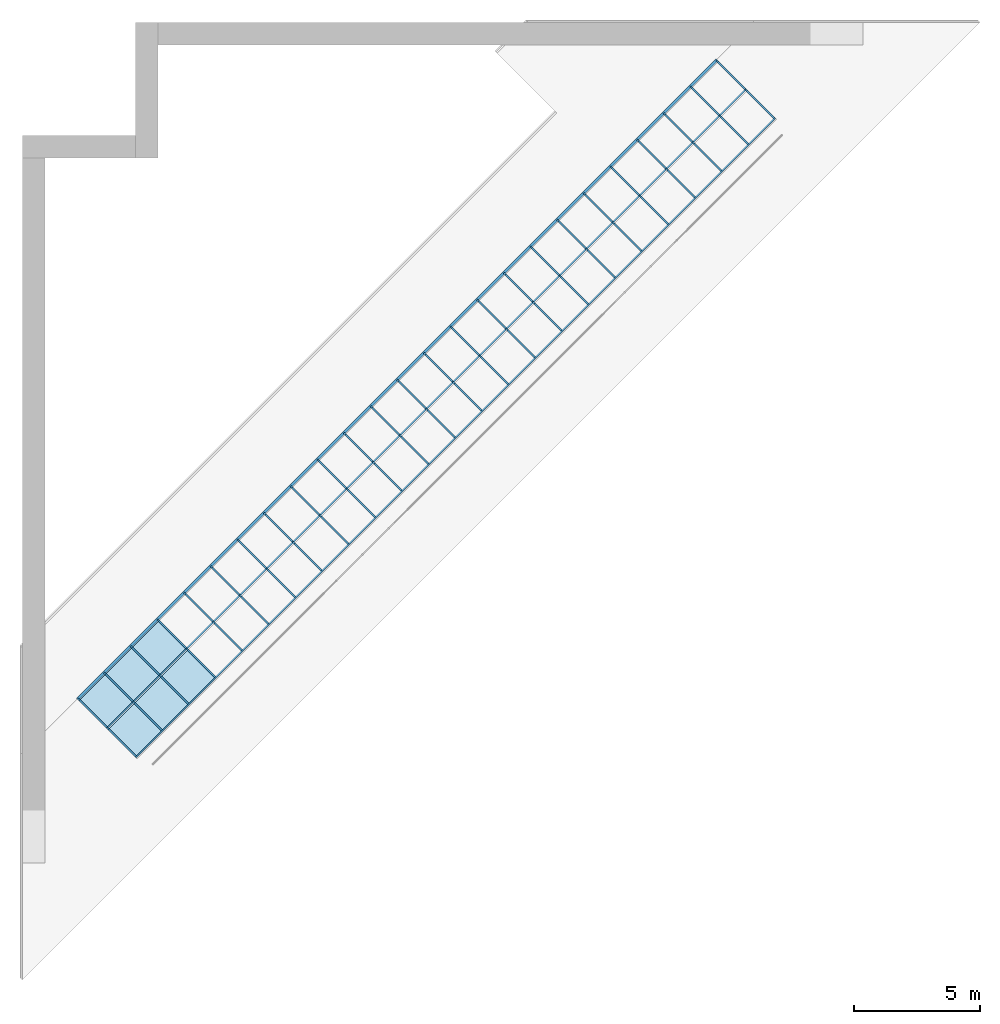
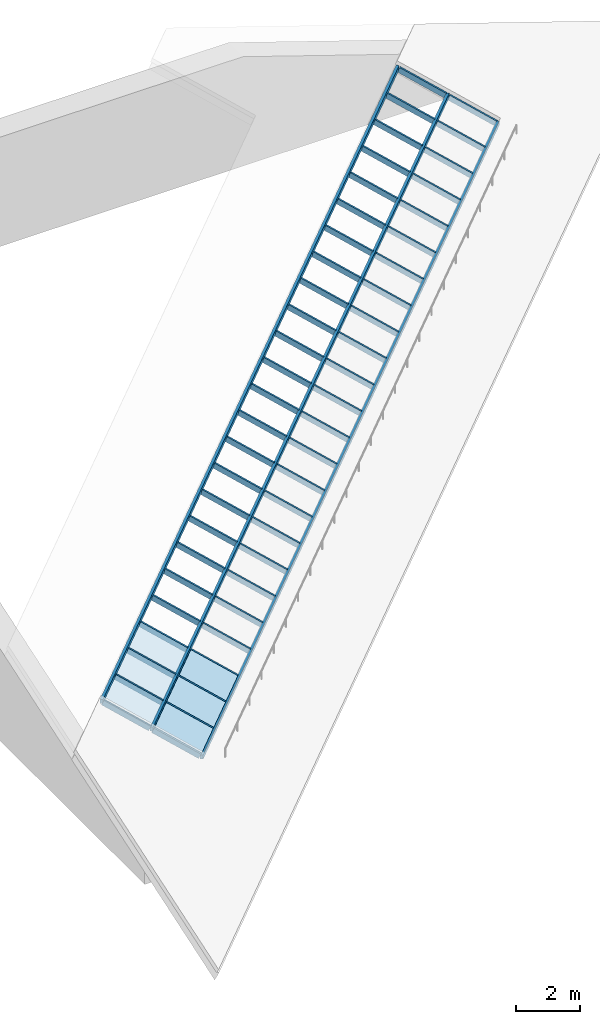
# One storey, part 1 of 3: 53 members, 6 plates, 1 element without a shape of its own.
"""IFC4 building model written with IfcOpenShell, lengths in metres."""

from ifc_helpers import new_model, si_unit, direction, frame, origin, origin_2d, place, context, subcontext, project, spatial, polyline, rectangle, outline, extrude, material, layer, layer_set, material_profile, profile_set, type_object, element, aggregate, save


model = new_model("IFC4")

# Units and contexts
model_context = context("Model", 3, precision=1e-05, world=origin(), true_north=direction((0.0, 1.0)))
body_context = subcontext(model_context, "Body", "Model", "MODEL_VIEW")
ifc_project = project(units=[si_unit("LENGTHUNIT", "METRE"), si_unit("AREAUNIT", "SQUARE_METRE"), si_unit("VOLUMEUNIT", "CUBIC_METRE"), si_unit("PLANEANGLEUNIT", "RADIAN"), si_unit("MASSUNIT", "GRAM", prefix="KILO")], contexts=[model_context])

# Site, building, storey
site_placement = place(None, origin())
site = spatial("IfcSite", under=ifc_project, at=site_placement, CompositionType="ELEMENT")
building_placement = place(site_placement, origin())
building = spatial("IfcBuilding", under=site, at=building_placement, Name="Hunhe Ridgeline Campus", CompositionType="ELEMENT")
storey_placement = place(building_placement, frame((0.0, 0.0, 324.0)))
storey = spatial("IfcBuildingStorey", under=building, at=storey_placement, Name="L83 Crown", CompositionType="ELEMENT", Elevation=324.0)

# Curtain wall, members, plates
ifc_material_1 = material(Name="Aluminium 6063", Category="aluminium")
curtain_wall_type = type_object("IfcCurtainWallType", Name="Curtain wall CW-6", PredefinedType="NOTDEFINED", material=ifc_material_1)
curtain_wall_placement = place(storey_placement, origin())
curtain_wall = element("IfcCurtainWall", 1, at=curtain_wall_placement, inside=storey, type_object=curtain_wall_type, Name="Rooflight 6", PredefinedType="NOTDEFINED")
ifc_material_profile_1 = material_profile(ifc_material_1, rectangle(XDim=0.070068359375, YDim=0.199951171875, at=origin_2d()))
ifc_profile_set_1 = profile_set([ifc_material_profile_1], Name="Aluminium 6063")
member_type_1 = type_object("IfcMemberType", Name="CW-6 aluminium mullion", PredefinedType="MULLION", material=ifc_profile_set_1)
member_1_placement = place(storey_placement, frame((29.892578125, 95.2158203125, 0.771484375), z_axis=(-0.639602149067, 0.639602149067, 0.426401432711), x_axis=(-0.707106781187, -0.707106781187, 0.0)))
member_1 = element("IfcMember", 2, at=member_1_placement, type_object=member_type_1, Name="E-L83 Crown-RL-06/M0-00", PredefinedType="MULLION", context=body_context, shape_type="SweptSolid", body=[
    extrude(rectangle(XDim=0.070068359375, YDim=0.199951171875, at=origin_2d()), origin(), (0.0, 0.0, 1.0), 1.693603515625),
])
member_2_placement = place(storey_placement, frame((28.856689453125, 94.179931640625, 0.771484375), z_axis=(-0.639602149067, 0.639602149067, 0.426401432711), x_axis=(-0.707106781187, -0.707106781187, 0.0)))
member_2 = element("IfcMember", 3, at=member_2_placement, type_object=member_type_1, Name="E-L83 Crown-RL-06/M0-01", PredefinedType="MULLION", context=body_context, shape_type="SweptSolid", body=[
    extrude(rectangle(XDim=0.070068359375, YDim=0.199951171875, at=origin_2d()), origin(), (0.0, 0.0, 1.0), 1.693603515625),
])
member_3_placement = place(storey_placement, frame((27.796142578125, 93.119140625, 0.771484375), z_axis=(-0.639602149067, 0.639602149067, 0.426401432711), x_axis=(-0.707106781187, -0.707106781187, 0.0)))
member_3 = element("IfcMember", 4, at=member_3_placement, type_object=member_type_1, Name="E-L83 Crown-RL-06/M0-02", PredefinedType="MULLION", context=body_context, shape_type="SweptSolid", body=[
    extrude(rectangle(XDim=0.070068359375, YDim=0.199951171875, at=origin_2d()), origin(), (0.0, 0.0, 1.0), 1.693603515625),
])
member_4_placement = place(storey_placement, frame((26.7353515625, 92.05859375, 0.771484375), z_axis=(-0.639602149067, 0.639602149067, 0.426401432711), x_axis=(-0.707106781187, -0.707106781187, 0.0)))
member_4 = element("IfcMember", 5, at=member_4_placement, type_object=member_type_1, Name="E-L83 Crown-RL-06/M0-03", PredefinedType="MULLION", context=body_context, shape_type="SweptSolid", body=[
    extrude(rectangle(XDim=0.070068359375, YDim=0.199951171875, at=origin_2d()), origin(), (0.0, 0.0, 1.0), 1.693603515625),
])
member_5_placement = place(storey_placement, frame((25.6748046875, 90.997802734375, 0.771484375), z_axis=(-0.639602149067, 0.639602149067, 0.426401432711), x_axis=(-0.707106781187, -0.707106781187, 0.0)))
member_5 = element("IfcMember", 6, at=member_5_placement, type_object=member_type_1, Name="E-L83 Crown-RL-06/M0-04", PredefinedType="MULLION", context=body_context, shape_type="SweptSolid", body=[
    extrude(rectangle(XDim=0.070068359375, YDim=0.199951171875, at=origin_2d()), origin(), (0.0, 0.0, 1.0), 1.693603515625),
])
member_6_placement = place(storey_placement, frame((24.614013671875, 89.937255859375, 0.771484375), z_axis=(-0.639602149067, 0.639602149067, 0.426401432711), x_axis=(-0.707106781187, -0.707106781187, 0.0)))
member_6 = element("IfcMember", 7, at=member_6_placement, type_object=member_type_1, Name="E-L83 Crown-RL-06/M0-05", PredefinedType="MULLION", context=body_context, shape_type="SweptSolid", body=[
    extrude(rectangle(XDim=0.070068359375, YDim=0.199951171875, at=origin_2d()), origin(), (0.0, 0.0, 1.0), 1.693603515625),
])
member_7_placement = place(storey_placement, frame((23.553466796875, 88.87646484375, 0.771484375), z_axis=(-0.639602149067, 0.639602149067, 0.426401432711), x_axis=(-0.707106781187, -0.707106781187, 0.0)))
member_7 = element("IfcMember", 8, at=member_7_placement, type_object=member_type_1, Name="E-L83 Crown-RL-06/M0-06", PredefinedType="MULLION", context=body_context, shape_type="SweptSolid", body=[
    extrude(rectangle(XDim=0.070068359375, YDim=0.199951171875, at=origin_2d()), origin(), (0.0, 0.0, 1.0), 1.693603515625),
])
member_8_placement = place(storey_placement, frame((22.492919921875, 87.81591796875, 0.771484375), z_axis=(-0.639687317978, 0.63954317933, 0.426362119554), x_axis=(-0.707027102695, -0.707186450701, 0.0)))
member_8 = element("IfcMember", 9, at=member_8_placement, type_object=member_type_1, Name="E-L83 Crown-RL-06/M0-07", PredefinedType="MULLION", context=body_context, shape_type="SweptSolid", body=[
    extrude(rectangle(XDim=0.070068359375, YDim=0.199951171875, at=origin_2d()), origin(), (0.0, 0.0, 1.0), 1.69384765625),
])
member_9_placement = place(storey_placement, frame((21.43212890625, 86.755126953125, 0.771484375), z_axis=(-0.639602149067, 0.639602149067, 0.426401432711), x_axis=(-0.707106781187, -0.707106781187, 0.0)))
member_9 = element("IfcMember", 10, at=member_9_placement, type_object=member_type_1, Name="E-L83 Crown-RL-06/M0-08", PredefinedType="MULLION", context=body_context, shape_type="SweptSolid", body=[
    extrude(rectangle(XDim=0.070068359375, YDim=0.199951171875, at=origin_2d()), origin(), (0.0, 0.0, 1.0), 1.693603515625),
])
member_10_placement = place(storey_placement, frame((20.37158203125, 85.694580078125, 0.771484375), z_axis=(-0.639602149067, 0.639602149067, 0.426401432711), x_axis=(-0.707106781187, -0.707106781187, 0.0)))
member_10 = element("IfcMember", 11, at=member_10_placement, type_object=member_type_1, Name="E-L83 Crown-RL-06/M0-09", PredefinedType="MULLION", context=body_context, shape_type="SweptSolid", body=[
    extrude(rectangle(XDim=0.070068359375, YDim=0.199951171875, at=origin_2d()), origin(), (0.0, 0.0, 1.0), 1.693603515625),
])
member_11_placement = place(storey_placement, frame((19.310791015625, 84.6337890625, 0.771484375), z_axis=(-0.639602149067, 0.639602149067, 0.426401432711), x_axis=(-0.707106781187, -0.707106781187, 0.0)))
member_11 = element("IfcMember", 12, at=member_11_placement, type_object=member_type_1, Name="E-L83 Crown-RL-06/M0-10", PredefinedType="MULLION", context=body_context, shape_type="SweptSolid", body=[
    extrude(rectangle(XDim=0.070068359375, YDim=0.199951171875, at=origin_2d()), origin(), (0.0, 0.0, 1.0), 1.693603515625),
])
member_12_placement = place(storey_placement, frame((18.250244140625, 83.5732421875, 0.771484375), z_axis=(-0.639602149067, 0.639602149067, 0.426401432711), x_axis=(-0.707106781187, -0.707106781187, 0.0)))
member_12 = element("IfcMember", 13, at=member_12_placement, type_object=member_type_1, Name="E-L83 Crown-RL-06/M0-11", PredefinedType="MULLION", context=body_context, shape_type="SweptSolid", body=[
    extrude(rectangle(XDim=0.070068359375, YDim=0.199951171875, at=origin_2d()), origin(), (0.0, 0.0, 1.0), 1.693603515625),
])
member_13_placement = place(storey_placement, frame((17.189453125, 82.512451171875, 0.771484375), z_axis=(-0.63954317933, 0.639687317978, 0.426362119554), x_axis=(-0.707186450701, -0.707027102695, 0.0)))
member_13 = element("IfcMember", 14, at=member_13_placement, type_object=member_type_1, Name="E-L83 Crown-RL-06/M0-12", PredefinedType="MULLION", context=body_context, shape_type="SweptSolid", body=[
    extrude(rectangle(XDim=0.070068359375, YDim=0.199951171875, at=origin_2d()), origin(), (0.0, 0.0, 1.0), 1.69384765625),
])
member_14_placement = place(storey_placement, frame((16.12890625, 81.451904296875, 0.771484375), z_axis=(-0.639602149067, 0.639602149067, 0.426401432711), x_axis=(-0.707106781187, -0.707106781187, 0.0)))
member_14 = element("IfcMember", 15, at=member_14_placement, type_object=member_type_1, Name="E-L83 Crown-RL-06/M0-13", PredefinedType="MULLION", context=body_context, shape_type="SweptSolid", body=[
    extrude(rectangle(XDim=0.070068359375, YDim=0.199951171875, at=origin_2d()), origin(), (0.0, 0.0, 1.0), 1.693603515625),
])
member_15_placement = place(storey_placement, frame((15.068115234375, 80.39111328125, 0.771484375), z_axis=(-0.63954317933, 0.639687317978, 0.426362119554), x_axis=(-0.707186450701, -0.707027102695, 0.0)))
member_15 = element("IfcMember", 16, at=member_15_placement, type_object=member_type_1, Name="E-L83 Crown-RL-06/M0-14", PredefinedType="MULLION", context=body_context, shape_type="SweptSolid", body=[
    extrude(rectangle(XDim=0.070068359375, YDim=0.199951171875, at=origin_2d()), origin(), (0.0, 0.0, 1.0), 1.69384765625),
])
member_16_placement = place(storey_placement, frame((14.007568359375, 79.33056640625, 0.771484375), z_axis=(-0.639602149067, 0.639602149067, 0.426401432711), x_axis=(-0.707106781187, -0.707106781187, 0.0)))
member_16 = element("IfcMember", 17, at=member_16_placement, type_object=member_type_1, Name="E-L83 Crown-RL-06/M0-15", PredefinedType="MULLION", context=body_context, shape_type="SweptSolid", body=[
    extrude(rectangle(XDim=0.070068359375, YDim=0.199951171875, at=origin_2d()), origin(), (0.0, 0.0, 1.0), 1.693603515625),
])
member_17_placement = place(storey_placement, frame((12.94677734375, 78.27001953125, 0.771484375), z_axis=(-0.639602149067, 0.639602149067, 0.426401432711), x_axis=(-0.707106781187, -0.707106781187, 0.0)))
member_17 = element("IfcMember", 18, at=member_17_placement, type_object=member_type_1, Name="E-L83 Crown-RL-06/M0-16", PredefinedType="MULLION", context=body_context, shape_type="SweptSolid", body=[
    extrude(rectangle(XDim=0.070068359375, YDim=0.199951171875, at=origin_2d()), origin(), (0.0, 0.0, 1.0), 1.693603515625),
])
member_18_placement = place(storey_placement, frame((11.88623046875, 77.209228515625, 0.771484375), z_axis=(-0.639602149067, 0.639602149067, 0.426401432711), x_axis=(-0.707106781187, -0.707106781187, 0.0)))
member_18 = element("IfcMember", 19, at=member_18_placement, type_object=member_type_1, Name="E-L83 Crown-RL-06/M0-17", PredefinedType="MULLION", context=body_context, shape_type="SweptSolid", body=[
    extrude(rectangle(XDim=0.070068359375, YDim=0.199951171875, at=origin_2d()), origin(), (0.0, 0.0, 1.0), 1.693603515625),
])
member_19_placement = place(storey_placement, frame((10.825439453125, 76.148681640625, 0.771484375), z_axis=(-0.639602149067, 0.639602149067, 0.426401432711), x_axis=(-0.707106781187, -0.707106781187, 0.0)))
member_19 = element("IfcMember", 20, at=member_19_placement, type_object=member_type_1, Name="E-L83 Crown-RL-06/M0-18", PredefinedType="MULLION", context=body_context, shape_type="SweptSolid", body=[
    extrude(rectangle(XDim=0.070068359375, YDim=0.199951171875, at=origin_2d()), origin(), (0.0, 0.0, 1.0), 1.693603515625),
])
member_20_placement = place(storey_placement, frame((9.764892578125, 75.087890625, 0.771484375), z_axis=(-0.639602149067, 0.639602149067, 0.426401432711), x_axis=(-0.707106781187, -0.707106781187, 0.0)))
member_20 = element("IfcMember", 21, at=member_20_placement, type_object=member_type_1, Name="E-L83 Crown-RL-06/M0-19", PredefinedType="MULLION", context=body_context, shape_type="SweptSolid", body=[
    extrude(rectangle(XDim=0.070068359375, YDim=0.199951171875, at=origin_2d()), origin(), (0.0, 0.0, 1.0), 1.693603515625),
])
member_21_placement = place(storey_placement, frame((8.7041015625, 74.02734375, 0.771484375), z_axis=(-0.639602149067, 0.639602149067, 0.426401432711), x_axis=(-0.707106781187, -0.707106781187, 0.0)))
member_21 = element("IfcMember", 22, at=member_21_placement, type_object=member_type_1, Name="E-L83 Crown-RL-06/M0-20", PredefinedType="MULLION", context=body_context, shape_type="SweptSolid", body=[
    extrude(rectangle(XDim=0.070068359375, YDim=0.199951171875, at=origin_2d()), origin(), (0.0, 0.0, 1.0), 1.693603515625),
])
member_22_placement = place(storey_placement, frame((7.6435546875, 72.966552734375, 0.771484375), z_axis=(-0.639602149067, 0.639602149067, 0.426401432711), x_axis=(-0.707106781187, -0.707106781187, 0.0)))
member_22 = element("IfcMember", 23, at=member_22_placement, type_object=member_type_1, Name="E-L83 Crown-RL-06/M0-21", PredefinedType="MULLION", context=body_context, shape_type="SweptSolid", body=[
    extrude(rectangle(XDim=0.070068359375, YDim=0.199951171875, at=origin_2d()), origin(), (0.0, 0.0, 1.0), 1.693603515625),
])
member_23_placement = place(storey_placement, frame((6.5830078125, 71.906005859375, 0.771484375), z_axis=(-0.639687317978, 0.63954317933, 0.426362119554), x_axis=(-0.707027102695, -0.707186450701, 0.0)))
member_23 = element("IfcMember", 24, at=member_23_placement, type_object=member_type_1, Name="E-L83 Crown-RL-06/M0-22", PredefinedType="MULLION", context=body_context, shape_type="SweptSolid", body=[
    extrude(rectangle(XDim=0.070068359375, YDim=0.199951171875, at=origin_2d()), origin(), (0.0, 0.0, 1.0), 1.69384765625),
])
member_24_placement = place(storey_placement, frame((5.522216796875, 70.84521484375, 0.771484375), z_axis=(-0.639602149067, 0.639602149067, 0.426401432711), x_axis=(-0.707106781187, -0.707106781187, 0.0)))
member_24 = element("IfcMember", 25, at=member_24_placement, type_object=member_type_1, Name="E-L83 Crown-RL-06/M0-23", PredefinedType="MULLION", context=body_context, shape_type="SweptSolid", body=[
    extrude(rectangle(XDim=0.070068359375, YDim=0.199951171875, at=origin_2d()), origin(), (0.0, 0.0, 1.0), 1.693603515625),
])
member_25_placement = place(storey_placement, frame((4.486328125, 69.809326171875, 0.771484375), z_axis=(-0.639602149067, 0.639602149067, 0.426401432711), x_axis=(-0.707106781187, -0.707106781187, 0.0)))
member_25 = element("IfcMember", 26, at=member_25_placement, type_object=member_type_1, Name="E-L83 Crown-RL-06/M0-24", PredefinedType="MULLION", context=body_context, shape_type="SweptSolid", body=[
    extrude(rectangle(XDim=0.070068359375, YDim=0.199951171875, at=origin_2d()), origin(), (0.0, 0.0, 1.0), 1.693603515625),
])
member_26_placement = place(storey_placement, frame((28.73876953125, 96.36962890625, 1.540771484375), z_axis=(-0.639602149067, 0.639602149067, 0.426401432711), x_axis=(-0.707106781187, -0.707106781187, 0.0)))
member_26 = element("IfcMember", 27, at=member_26_placement, type_object=member_type_1, Name="E-L83 Crown-RL-06/M1-00", PredefinedType="MULLION", context=body_context, shape_type="SweptSolid", body=[
    extrude(rectangle(XDim=0.070068359375, YDim=0.199951171875, at=origin_2d()), origin(), (0.0, 0.0, 1.0), 1.693603515625),
])
member_27_placement = place(storey_placement, frame((27.702880859375, 95.333740234375, 1.540771484375), z_axis=(-0.639602149067, 0.639602149067, 0.426401432711), x_axis=(-0.707106781187, -0.707106781187, 0.0)))
member_27 = element("IfcMember", 28, at=member_27_placement, type_object=member_type_1, Name="E-L83 Crown-RL-06/M1-01", PredefinedType="MULLION", context=body_context, shape_type="SweptSolid", body=[
    extrude(rectangle(XDim=0.070068359375, YDim=0.199951171875, at=origin_2d()), origin(), (0.0, 0.0, 1.0), 1.693603515625),
])
member_28_placement = place(storey_placement, frame((26.64208984375, 94.273193359375, 1.540771484375), z_axis=(-0.639602149067, 0.639602149067, 0.426401432711), x_axis=(-0.707106781187, -0.707106781187, 0.0)))
member_28 = element("IfcMember", 29, at=member_28_placement, type_object=member_type_1, Name="E-L83 Crown-RL-06/M1-02", PredefinedType="MULLION", context=body_context, shape_type="SweptSolid", body=[
    extrude(rectangle(XDim=0.070068359375, YDim=0.199951171875, at=origin_2d()), origin(), (0.0, 0.0, 1.0), 1.693603515625),
])
member_29_placement = place(storey_placement, frame((25.58154296875, 93.21240234375, 1.540771484375), z_axis=(-0.639602149067, 0.639602149067, 0.426401432711), x_axis=(-0.707106781187, -0.707106781187, 0.0)))
member_29 = element("IfcMember", 30, at=member_29_placement, type_object=member_type_1, Name="E-L83 Crown-RL-06/M1-03", PredefinedType="MULLION", context=body_context, shape_type="SweptSolid", body=[
    extrude(rectangle(XDim=0.070068359375, YDim=0.199951171875, at=origin_2d()), origin(), (0.0, 0.0, 1.0), 1.693603515625),
])
member_30_placement = place(storey_placement, frame((24.520751953125, 92.15185546875, 1.540771484375), z_axis=(-0.639602149067, 0.639602149067, 0.426401432711), x_axis=(-0.707106781187, -0.707106781187, 0.0)))
member_30 = element("IfcMember", 31, at=member_30_placement, type_object=member_type_1, Name="E-L83 Crown-RL-06/M1-04", PredefinedType="MULLION", context=body_context, shape_type="SweptSolid", body=[
    extrude(rectangle(XDim=0.070068359375, YDim=0.199951171875, at=origin_2d()), origin(), (0.0, 0.0, 1.0), 1.693603515625),
])
member_31_placement = place(storey_placement, frame((23.460205078125, 91.091064453125, 1.540771484375), z_axis=(-0.639602149067, 0.639602149067, 0.426401432711), x_axis=(-0.707106781187, -0.707106781187, 0.0)))
member_31 = element("IfcMember", 32, at=member_31_placement, type_object=member_type_1, Name="E-L83 Crown-RL-06/M1-05", PredefinedType="MULLION", context=body_context, shape_type="SweptSolid", body=[
    extrude(rectangle(XDim=0.070068359375, YDim=0.199951171875, at=origin_2d()), origin(), (0.0, 0.0, 1.0), 1.693603515625),
])
member_32_placement = place(storey_placement, frame((22.3994140625, 90.030517578125, 1.540771484375), z_axis=(-0.639602149067, 0.639602149067, 0.426401432711), x_axis=(-0.707106781187, -0.707106781187, 0.0)))
member_32 = element("IfcMember", 33, at=member_32_placement, type_object=member_type_1, Name="E-L83 Crown-RL-06/M1-06", PredefinedType="MULLION", context=body_context, shape_type="SweptSolid", body=[
    extrude(rectangle(XDim=0.070068359375, YDim=0.199951171875, at=origin_2d()), origin(), (0.0, 0.0, 1.0), 1.693603515625),
])
member_33_placement = place(storey_placement, frame((21.3388671875, 88.9697265625, 1.540771484375), z_axis=(-0.63954317933, 0.639687317978, 0.426362119554), x_axis=(-0.707186450701, -0.707027102695, 0.0)))
member_33 = element("IfcMember", 34, at=member_33_placement, type_object=member_type_1, Name="E-L83 Crown-RL-06/M1-07", PredefinedType="MULLION", context=body_context, shape_type="SweptSolid", body=[
    extrude(rectangle(XDim=0.070068359375, YDim=0.199951171875, at=origin_2d()), origin(), (0.0, 0.0, 1.0), 1.69384765625),
])
member_34_placement = place(storey_placement, frame((20.278076171875, 87.9091796875, 1.540771484375), z_axis=(-0.639602149067, 0.639602149067, 0.426401432711), x_axis=(-0.707106781187, -0.707106781187, 0.0)))
member_34 = element("IfcMember", 35, at=member_34_placement, type_object=member_type_1, Name="E-L83 Crown-RL-06/M1-08", PredefinedType="MULLION", context=body_context, shape_type="SweptSolid", body=[
    extrude(rectangle(XDim=0.070068359375, YDim=0.199951171875, at=origin_2d()), origin(), (0.0, 0.0, 1.0), 1.693603515625),
])
member_35_placement = place(storey_placement, frame((19.217529296875, 86.8486328125, 1.540771484375), z_axis=(-0.639602149067, 0.639602149067, 0.426401432711), x_axis=(-0.707106781187, -0.707106781187, 0.0)))
member_35 = element("IfcMember", 36, at=member_35_placement, type_object=member_type_1, Name="E-L83 Crown-RL-06/M1-09", PredefinedType="MULLION", context=body_context, shape_type="SweptSolid", body=[
    extrude(rectangle(XDim=0.070068359375, YDim=0.199951171875, at=origin_2d()), origin(), (0.0, 0.0, 1.0), 1.693603515625),
])
member_36_placement = place(storey_placement, frame((18.15673828125, 85.787841796875, 1.540771484375), z_axis=(-0.639602149067, 0.639602149067, 0.426401432711), x_axis=(-0.707106781187, -0.707106781187, 0.0)))
member_36 = element("IfcMember", 37, at=member_36_placement, type_object=member_type_1, Name="E-L83 Crown-RL-06/M1-10", PredefinedType="MULLION", context=body_context, shape_type="SweptSolid", body=[
    extrude(rectangle(XDim=0.070068359375, YDim=0.199951171875, at=origin_2d()), origin(), (0.0, 0.0, 1.0), 1.693603515625),
])
member_37_placement = place(storey_placement, frame((17.09619140625, 84.727294921875, 1.540771484375), z_axis=(-0.639602149067, 0.639602149067, 0.426401432711), x_axis=(-0.707106781187, -0.707106781187, 0.0)))
member_37 = element("IfcMember", 38, at=member_37_placement, type_object=member_type_1, Name="E-L83 Crown-RL-06/M1-11", PredefinedType="MULLION", context=body_context, shape_type="SweptSolid", body=[
    extrude(rectangle(XDim=0.070068359375, YDim=0.199951171875, at=origin_2d()), origin(), (0.0, 0.0, 1.0), 1.693603515625),
])
member_38_placement = place(storey_placement, frame((16.035400390625, 83.66650390625, 1.540771484375), z_axis=(-0.639602149067, 0.639602149067, 0.426401432711), x_axis=(-0.707106781187, -0.707106781187, 0.0)))
member_38 = element("IfcMember", 39, at=member_38_placement, type_object=member_type_1, Name="E-L83 Crown-RL-06/M1-12", PredefinedType="MULLION", context=body_context, shape_type="SweptSolid", body=[
    extrude(rectangle(XDim=0.070068359375, YDim=0.199951171875, at=origin_2d()), origin(), (0.0, 0.0, 1.0), 1.693603515625),
])
member_39_placement = place(storey_placement, frame((14.974853515625, 82.60595703125, 1.540771484375), z_axis=(-0.639602149067, 0.639602149067, 0.426401432711), x_axis=(-0.707106781187, -0.707106781187, 0.0)))
member_39 = element("IfcMember", 40, at=member_39_placement, type_object=member_type_1, Name="E-L83 Crown-RL-06/M1-13", PredefinedType="MULLION", context=body_context, shape_type="SweptSolid", body=[
    extrude(rectangle(XDim=0.070068359375, YDim=0.199951171875, at=origin_2d()), origin(), (0.0, 0.0, 1.0), 1.693603515625),
])
member_40_placement = place(storey_placement, frame((13.914306640625, 81.545166015625, 1.540771484375), z_axis=(-0.639687317978, 0.63954317933, 0.426362119554), x_axis=(-0.707027102695, -0.707186450701, 0.0)))
member_40 = element("IfcMember", 41, at=member_40_placement, type_object=member_type_1, Name="E-L83 Crown-RL-06/M1-14", PredefinedType="MULLION", context=body_context, shape_type="SweptSolid", body=[
    extrude(rectangle(XDim=0.070068359375, YDim=0.199951171875, at=origin_2d()), origin(), (0.0, 0.0, 1.0), 1.69384765625),
])
member_41_placement = place(storey_placement, frame((12.853515625, 80.484619140625, 1.540771484375), z_axis=(-0.639602149067, 0.639602149067, 0.426401432711), x_axis=(-0.707106781187, -0.707106781187, 0.0)))
member_41 = element("IfcMember", 42, at=member_41_placement, type_object=member_type_1, Name="E-L83 Crown-RL-06/M1-15", PredefinedType="MULLION", context=body_context, shape_type="SweptSolid", body=[
    extrude(rectangle(XDim=0.070068359375, YDim=0.199951171875, at=origin_2d()), origin(), (0.0, 0.0, 1.0), 1.693603515625),
])
member_42_placement = place(storey_placement, frame((11.79296875, 79.423828125, 1.540771484375), z_axis=(-0.639602149067, 0.639602149067, 0.426401432711), x_axis=(-0.707106781187, -0.707106781187, 0.0)))
member_42 = element("IfcMember", 43, at=member_42_placement, type_object=member_type_1, Name="E-L83 Crown-RL-06/M1-16", PredefinedType="MULLION", context=body_context, shape_type="SweptSolid", body=[
    extrude(rectangle(XDim=0.070068359375, YDim=0.199951171875, at=origin_2d()), origin(), (0.0, 0.0, 1.0), 1.693603515625),
])
member_43_placement = place(storey_placement, frame((10.732177734375, 78.36328125, 1.540771484375), z_axis=(-0.639602149067, 0.639602149067, 0.426401432711), x_axis=(-0.707106781187, -0.707106781187, 0.0)))
member_43 = element("IfcMember", 44, at=member_43_placement, type_object=member_type_1, Name="E-L83 Crown-RL-06/M1-17", PredefinedType="MULLION", context=body_context, shape_type="SweptSolid", body=[
    extrude(rectangle(XDim=0.070068359375, YDim=0.199951171875, at=origin_2d()), origin(), (0.0, 0.0, 1.0), 1.693603515625),
])
member_44_placement = place(storey_placement, frame((9.671630859375, 77.302490234375, 1.540771484375), z_axis=(-0.639602149067, 0.639602149067, 0.426401432711), x_axis=(-0.707106781187, -0.707106781187, 0.0)))
member_44 = element("IfcMember", 45, at=member_44_placement, type_object=member_type_1, Name="E-L83 Crown-RL-06/M1-18", PredefinedType="MULLION", context=body_context, shape_type="SweptSolid", body=[
    extrude(rectangle(XDim=0.070068359375, YDim=0.199951171875, at=origin_2d()), origin(), (0.0, 0.0, 1.0), 1.693603515625),
])
member_45_placement = place(storey_placement, frame((8.61083984375, 76.241943359375, 1.540771484375), z_axis=(-0.639602149067, 0.639602149067, 0.426401432711), x_axis=(-0.707106781187, -0.707106781187, 0.0)))
member_45 = element("IfcMember", 46, at=member_45_placement, type_object=member_type_1, Name="E-L83 Crown-RL-06/M1-19", PredefinedType="MULLION", context=body_context, shape_type="SweptSolid", body=[
    extrude(rectangle(XDim=0.070068359375, YDim=0.199951171875, at=origin_2d()), origin(), (0.0, 0.0, 1.0), 1.693603515625),
])
member_46_placement = place(storey_placement, frame((7.55029296875, 75.18115234375, 1.540771484375), z_axis=(-0.63954317933, 0.639687317978, 0.426362119554), x_axis=(-0.707186450701, -0.707027102695, 0.0)))
member_46 = element("IfcMember", 47, at=member_46_placement, type_object=member_type_1, Name="E-L83 Crown-RL-06/M1-20", PredefinedType="MULLION", context=body_context, shape_type="SweptSolid", body=[
    extrude(rectangle(XDim=0.070068359375, YDim=0.199951171875, at=origin_2d()), origin(), (0.0, 0.0, 1.0), 1.69384765625),
])
member_47_placement = place(storey_placement, frame((6.489501953125, 74.12060546875, 1.540771484375), z_axis=(-0.639602149067, 0.639602149067, 0.426401432711), x_axis=(-0.707106781187, -0.707106781187, 0.0)))
member_47 = element("IfcMember", 48, at=member_47_placement, type_object=member_type_1, Name="E-L83 Crown-RL-06/M1-21", PredefinedType="MULLION", context=body_context, shape_type="SweptSolid", body=[
    extrude(rectangle(XDim=0.070068359375, YDim=0.199951171875, at=origin_2d()), origin(), (0.0, 0.0, 1.0), 1.693603515625),
])
member_48_placement = place(storey_placement, frame((5.428955078125, 73.059814453125, 1.540771484375), z_axis=(-0.63954317933, 0.639687317978, 0.426362119554), x_axis=(-0.707186450701, -0.707027102695, 0.0)))
member_48 = element("IfcMember", 49, at=member_48_placement, type_object=member_type_1, Name="E-L83 Crown-RL-06/M1-22", PredefinedType="MULLION", context=body_context, shape_type="SweptSolid", body=[
    extrude(rectangle(XDim=0.070068359375, YDim=0.199951171875, at=origin_2d()), origin(), (0.0, 0.0, 1.0), 1.69384765625),
])
member_49_placement = place(storey_placement, frame((4.3681640625, 71.999267578125, 1.540771484375), z_axis=(-0.639602149067, 0.639602149067, 0.426401432711), x_axis=(-0.707106781187, -0.707106781187, 0.0)))
member_49 = element("IfcMember", 50, at=member_49_placement, type_object=member_type_1, Name="E-L83 Crown-RL-06/M1-23", PredefinedType="MULLION", context=body_context, shape_type="SweptSolid", body=[
    extrude(rectangle(XDim=0.070068359375, YDim=0.199951171875, at=origin_2d()), origin(), (0.0, 0.0, 1.0), 1.693603515625),
])
member_50_placement = place(storey_placement, frame((3.332275390625, 70.96337890625, 1.540771484375), z_axis=(-0.639602149067, 0.639602149067, 0.426401432711), x_axis=(-0.707106781187, -0.707106781187, 0.0)))
member_50 = element("IfcMember", 51, at=member_50_placement, type_object=member_type_1, Name="E-L83 Crown-RL-06/M1-24", PredefinedType="MULLION", context=body_context, shape_type="SweptSolid", body=[
    extrude(rectangle(XDim=0.070068359375, YDim=0.199951171875, at=origin_2d()), origin(), (0.0, 0.0, 1.0), 1.693603515625),
])
ifc_material_profile_2 = material_profile(ifc_material_1, rectangle(XDim=0.10009765625, YDim=0.159912109375, at=origin_2d()))
ifc_profile_set_2 = profile_set([ifc_material_profile_2], Name="Aluminium 6063")
member_type_2 = type_object("IfcMemberType", Name="CW-6 aluminium transom", PredefinedType="USERDEFINED", material=ifc_profile_set_2)
member_51_placement = place(storey_placement, frame((29.958740234375, 95.198974609375, 0.76611328125), z_axis=(-0.707106781187, -0.707106781187, 0.0), x_axis=(0.707106781187, -0.707106781187, 0.0)))
member_51 = element("IfcMember", 52, at=member_51_placement, type_object=member_type_2, Name="E-L83 Crown-RL-06/T0", ObjectType="TRANSOM", PredefinedType="USERDEFINED", context=body_context, shape_type="SweptSolid", body=[
    extrude(rectangle(XDim=0.10009765625, YDim=0.159912109375, at=origin_2d()), origin(), (0.0, 0.0, 1.0), 36.0),
])
member_52_placement = place(storey_placement, frame((28.804931640625, 96.35302734375, 1.535400390625), z_axis=(-0.707110172009, -0.707103390348, 0.0), x_axis=(0.707103390348, -0.707110172009, 0.0)))
member_52 = element("IfcMember", 53, at=member_52_placement, type_object=member_type_2, Name="E-L83 Crown-RL-06/T1", ObjectType="TRANSOM", PredefinedType="USERDEFINED", context=body_context, shape_type="SweptSolid", body=[
    extrude(rectangle(XDim=0.10009765625, YDim=0.159912109375, at=origin_2d()), origin(), (0.0, 0.0, 1.0), 36.000244140625),
])
member_53_placement = place(storey_placement, frame((27.65087890625, 97.507080078125, 2.3046875), z_axis=(-0.707106781187, -0.707106781187, 0.0), x_axis=(0.707106781187, -0.707106781187, 0.0)))
member_53 = element("IfcMember", 54, at=member_53_placement, type_object=member_type_2, Name="E-L83 Crown-RL-06/T2", ObjectType="TRANSOM", PredefinedType="USERDEFINED", context=body_context, shape_type="SweptSolid", body=[
    extrude(rectangle(XDim=0.10009765625, YDim=0.159912109375, at=origin_2d()), origin(), (0.0, 0.0, 1.0), 36.0),
])
ifc_material_2 = material(Name="Low-e laminated glass", Category="glass")
ifc_layer = layer(ifc_material_2, 0.0400390625)
ifc_layer_set = layer_set([ifc_layer], Name="Rooflight glass panel 40 low-e laminated")
plate_type = type_object("IfcPlateType", Name="Rooflight glass panel 40 low-e laminated", PredefinedType="CURTAIN_PANEL", material=ifc_layer_set)
plate_1_placement = place(storey_placement, frame((7.64892578125, 72.91162109375, 0.862060546875), z_axis=(0.301474942954, -0.301547745403, 0.904534032535), x_axis=(-0.639602149067, 0.639602149067, 0.426401432711)))
plate_1 = element("IfcPlate", 55, at=plate_1_placement, type_object=plate_type, Name="Rooflight panel 1.22", PredefinedType="CURTAIN_PANEL", context=body_context, shape_type="SweptSolid", body=[
    extrude(outline(polyline([(0.0, 0.0), (1.6936340109323371, -3.6469850576981155e-17), (1.6937901638007615, 1.4299232119943701), (0.00015615286842451948, 1.4299232119943701), (0.0, 0.0)])), origin(), (0.0, 0.0, -1.0), 0.0400390625),
])
plate_2_placement = place(storey_placement, frame((6.58837890625, 71.85107421875, 0.862060546875), z_axis=(0.301511344578, -0.301511344578, 0.904534033733), x_axis=(-0.639602149067, 0.639602149067, 0.426401432711)))
plate_2 = element("IfcPlate", 56, at=plate_2_placement, type_object=plate_type, Name="Rooflight panel 1.23", PredefinedType="CURTAIN_PANEL", context=body_context, shape_type="SweptSolid", body=[
    extrude(outline(polyline([(0.0, 0.0), (1.6936340109323371, 0.0), (1.693634010932337, 1.4300958435911524), (0.0, 1.4300958435911524), (0.0, 0.0)])), origin(), (0.0, 0.0, -1.0), 0.0400390625),
])
plate_3_placement = place(storey_placement, frame((5.527587890625, 70.790283203125, 0.862060546875), z_axis=(0.301516102112, -0.30147879038, 0.904543298642), x_axis=(-0.639536628329, 0.639680767787, 0.426381773003)))
plate_3 = element("IfcPlate", 57, at=plate_3_placement, type_object=plate_type, Name="Rooflight panel 1.24", PredefinedType="CURTAIN_PANEL", context=body_context, shape_type="SweptSolid", body=[
    extrude(outline(polyline([(0.0, 0.0), (1.6937901737980354, 5.0672899036541263e-17), (1.69349183293394, 1.3950512231114782), (-0.0001421688016474132, 1.3948786035944865), (0.0, 0.0)])), origin(), (0.0, 0.0, -1.0), 0.0400390625),
])
plate_4_placement = place(storey_placement, frame((6.494873046875, 74.065673828125, 1.63134765625), z_axis=(0.301547745403, -0.301474942954, 0.904534032535), x_axis=(-0.639602149067, 0.639602149067, 0.426401432711)))
plate_4 = element("IfcPlate", 58, at=plate_4_placement, type_object=plate_type, Name="Rooflight panel 2.22", PredefinedType="CURTAIN_PANEL", context=body_context, shape_type="SweptSolid", body=[
    extrude(outline(polyline([(0.0, 0.0), (1.6936340109323371, 3.6469850576981155e-17), (1.6934778580639125, 1.4299232119943703), (-0.00015615286842451948, 1.4299232119943701), (0.0, 0.0)])), origin(), (0.0, 0.0, -1.0), 0.0400390625),
])
plate_5_placement = place(storey_placement, frame((5.434326171875, 73.005126953125, 1.63134765625), z_axis=(0.301511344578, -0.301511344578, 0.904534033733), x_axis=(-0.639602149067, 0.639602149067, 0.426401432711)))
plate_5 = element("IfcPlate", 59, at=plate_5_placement, type_object=plate_type, Name="Rooflight panel 2.23", PredefinedType="CURTAIN_PANEL", context=body_context, shape_type="SweptSolid", body=[
    extrude(outline(polyline([(0.0, 0.0), (1.6936340109323371, 0.0), (1.693634010932337, 1.4300958435911524), (0.0, 1.4300958435911524), (0.0, 0.0)])), origin(), (0.0, 0.0, -1.0), 0.0400390625),
])
plate_6_placement = place(storey_placement, frame((4.373779296875, 71.9443359375, 1.63134765625), z_axis=(0.30147879038, -0.301516102112, 0.904543298642), x_axis=(-0.639680767787, 0.639536628329, 0.426381773003)))
plate_6 = element("IfcPlate", 60, at=plate_6_placement, type_object=plate_type, Name="Rooflight panel 2.24", PredefinedType="CURTAIN_PANEL", context=body_context, shape_type="SweptSolid", body=[
    extrude(outline(polyline([(0.0, 0.0), (1.6937901737980354, -5.0672899036541263e-17), (1.6939323425996826, 1.3948786035944865), (0.0002983408640954144, 1.3950512231114782), (0.0, 0.0)])), origin(), (0.0, 0.0, -1.0), 0.0400390625),
])
aggregate(curtain_wall, [member_51, member_52, member_53, member_1, member_2, member_3, member_4, member_5, member_6, member_7, member_8, member_9, member_10, member_11, member_12, member_13, member_14, member_15, member_16, member_17, member_18, member_19, member_20, member_21, member_22, member_23, member_24, member_25, plate_1, plate_2, plate_3, member_26, member_27, member_28, member_29, member_30, member_31, member_32, member_33, member_34, member_35, member_36, member_37, member_38, member_39, member_40, member_41, member_42, member_43, member_44, member_45, member_46, member_47, member_48, member_49, member_50, plate_4, plate_5, plate_6])

save(model, "model.ifc")
